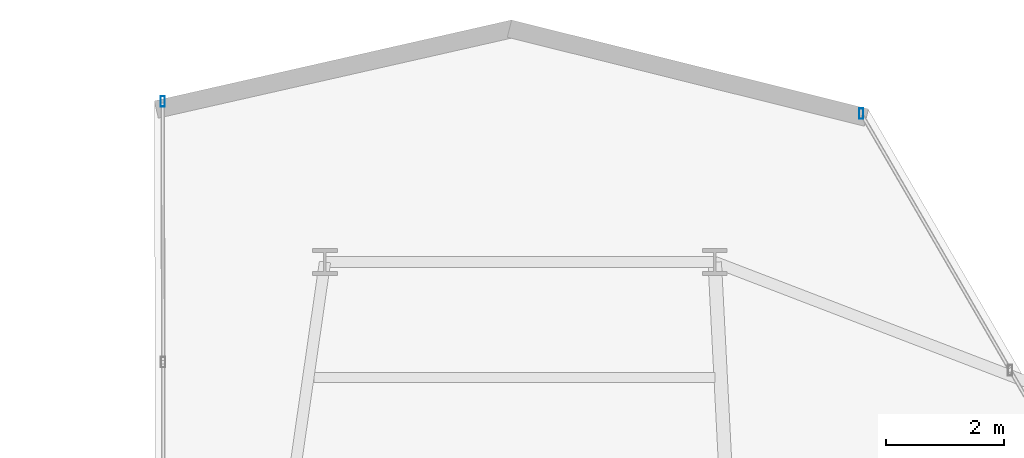
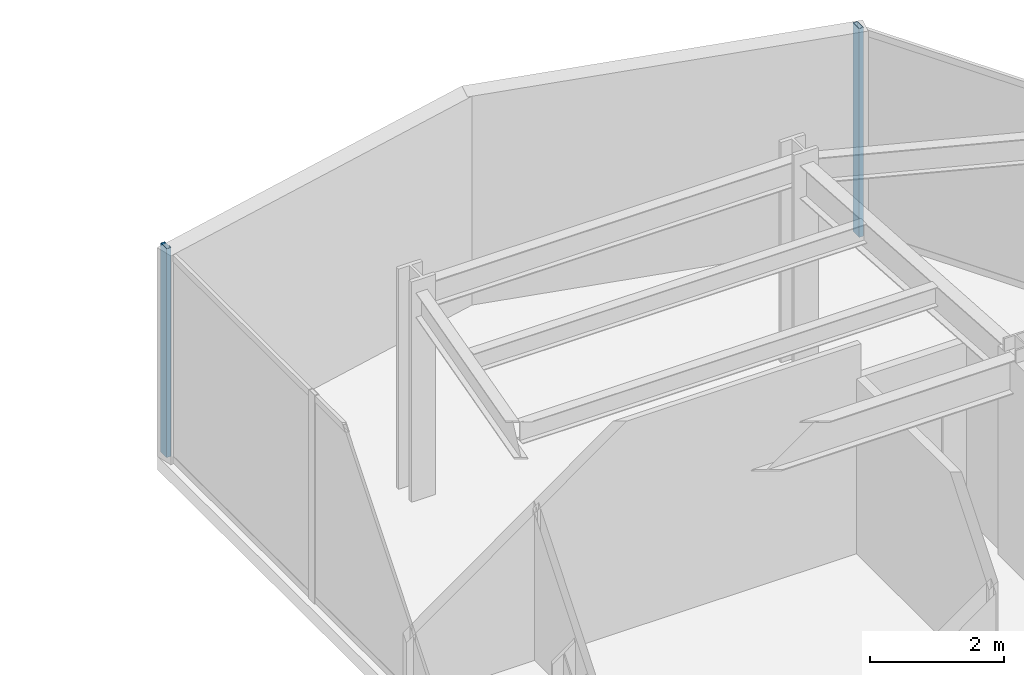
# One storey, part 18 of 25: 2 members, 2 elements without a shape of their own.
"""IFC4 building model written with IfcOpenShell, lengths in metres."""

from ifc_helpers import new_model, si_unit, direction, frame, origin, origin_2d, place, context, subcontext, project, spatial, hollow_rectangle, extrude, material, layer, layer_set, material_profile, profile_set, type_object, element, aggregate, save


model = new_model("IFC4")

# Units and contexts
model_context = context("Model", 3, precision=1e-05, world=origin(), true_north=direction((0.0, 1.0)))
body_context = subcontext(model_context, "Body", "Model", "MODEL_VIEW")
ifc_project = project(units=[si_unit("LENGTHUNIT", "METRE"), si_unit("AREAUNIT", "SQUARE_METRE"), si_unit("VOLUMEUNIT", "CUBIC_METRE"), si_unit("PLANEANGLEUNIT", "RADIAN"), si_unit("MASSUNIT", "GRAM", prefix="KILO")], contexts=[model_context])

# Site, building, storey
site_placement = place(None, origin())
site = spatial("IfcSite", under=ifc_project, at=site_placement, CompositionType="ELEMENT")
building_placement = place(site_placement, origin())
building = spatial("IfcBuilding", under=site, at=building_placement, Name="Veymaron Broadcast Tower", CompositionType="ELEMENT")
storey_placement = place(building_placement, frame((0.0, 0.0, 169.5)))
storey = spatial("IfcBuildingStorey", under=building, at=storey_placement, Name="L39", CompositionType="ELEMENT", Elevation=169.5)

# Curtain wall, member
ifc_material_1 = material(Name="Anodised aluminium AA 6063-T6 and laminated low-E dark glass", Category="aluminium")
ifc_layer = layer(ifc_material_1, 0.179931640625)
ifc_layer_set = layer_set([ifc_layer], Name="Anodised aluminium AA 6063-T6 and laminated low-E dark glass")
curtain_wall_type = type_object("IfcCurtainWallType", Name="CW-SYS-03", PredefinedType="NOTDEFINED", material=ifc_layer_set)
curtain_wall_1_placement = place(storey_placement, origin())
curtain_wall_1 = element("IfcCurtainWall", 1, at=curtain_wall_1_placement, inside=storey, type_object=curtain_wall_type, Name="L39 dark-glass curtain wall CW-L39-E5-1", PredefinedType="NOTDEFINED")
ifc_material_2 = material(Name="Anodised aluminium AA 6063-T6", Category="aluminium")
ifc_material_profile = material_profile(ifc_material_2, hollow_rectangle(XDim=0.074951171875, YDim=0.179931640625, WallThickness=0.0048828125, at=origin_2d()), Name="AL180X75X5")
ifc_profile_set = profile_set([ifc_material_profile], Name="Anodised aluminium AA 6063-T6")
member_type = type_object("IfcMemberType", Name="CW-MUL-02", PredefinedType="MULLION", material=ifc_profile_set)
member_1_placement = place(storey_placement, frame((41.1669921875, 40.623779296875, 0.0), z_axis=(0.0, 0.0, 1.0), x_axis=(1.0, 0.0, 0.0)))
member_1 = element("IfcMember", 2, at=member_1_placement, type_object=member_type, Name="CW-L39-E5-1 mullion 2", PredefinedType="MULLION", context=body_context, shape_type="SweptSolid", body=[
    extrude(hollow_rectangle(XDim=0.074951171875, YDim=0.179931640625, WallThickness=0.0048828125, at=origin_2d()), origin(), (0.0, 0.0, 1.0), 3.81005859375),
])
aggregate(curtain_wall_1, [member_1])

curtain_wall_2_placement = place(storey_placement, origin())
curtain_wall_2 = element("IfcCurtainWall", 3, at=curtain_wall_2_placement, inside=storey, type_object=curtain_wall_type, Name="L39 dark-glass curtain wall CW-L39-E8-1", PredefinedType="NOTDEFINED")
member_2_placement = place(storey_placement, frame((29.333984375, 40.831298828125, 0.0), z_axis=(0.0, 0.0, 1.0), x_axis=(1.0, 0.0, 0.0)))
member_2 = element("IfcMember", 4, at=member_2_placement, type_object=member_type, Name="CW-L39-E8-1 mullion 0", PredefinedType="MULLION", context=body_context, shape_type="SweptSolid", body=[
    extrude(hollow_rectangle(XDim=0.074951171875, YDim=0.179931640625, WallThickness=0.0048828125, at=origin_2d()), origin(), (0.0, 0.0, 1.0), 3.81005859375),
])
aggregate(curtain_wall_2, [member_2])

save(model, "model.ifc")
